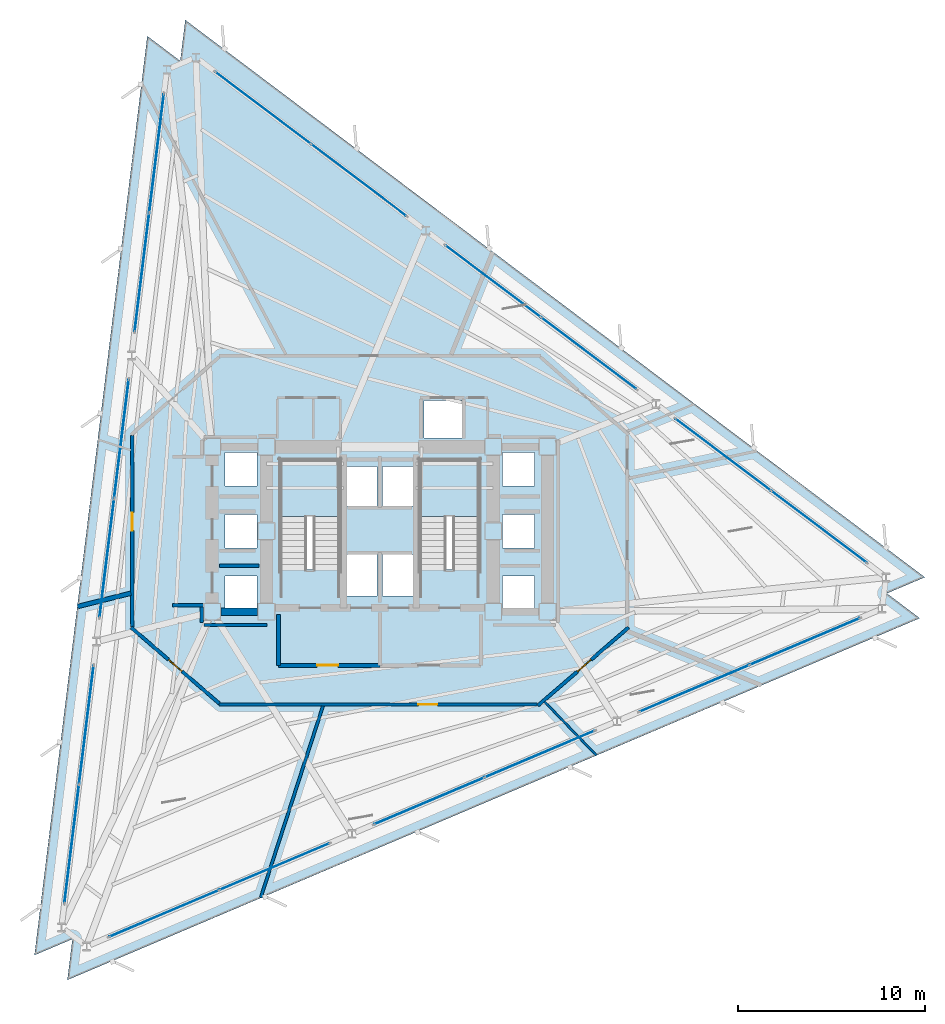
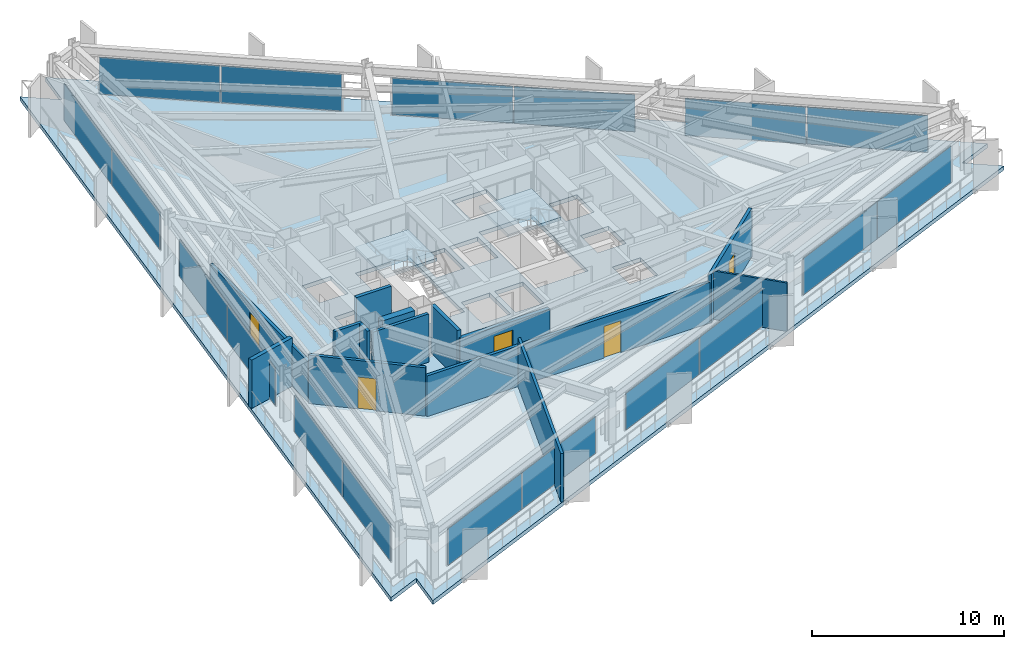
# One storey, part 6 of 13: 18 plates, 14 walls, 5 doors, 3 slabs, 5 openings, 11 elements without a shape of their own.
"""IFC4 building model written with IfcOpenShell, lengths in metres."""

from ifc_helpers import new_model, si_unit, direction, frame, frame_2d, origin, origin_2d, place, context, subcontext, project, spatial, polyline, rectangle, outline, extrude, material, layer, layer_set, type_object, element, fill, aggregate, save


model = new_model("IFC4")

# Units and contexts
model_context = context("Model", 3, precision=1e-05, world=origin(), true_north=direction((0.0, 1.0)))
body_context = subcontext(model_context, "Body", "Model", "MODEL_VIEW")
ifc_project = project(units=[si_unit("LENGTHUNIT", "METRE"), si_unit("AREAUNIT", "SQUARE_METRE"), si_unit("VOLUMEUNIT", "CUBIC_METRE"), si_unit("PLANEANGLEUNIT", "RADIAN"), si_unit("MASSUNIT", "GRAM", prefix="KILO")], contexts=[model_context])

# Site, building, storey
site_placement = place(None, origin())
site = spatial("IfcSite", under=ifc_project, at=site_placement, CompositionType="ELEMENT")
building_placement = place(site_placement, origin())
building = spatial("IfcBuilding", under=site, at=building_placement, Name="Rocaltana Carrier Exchange", CompositionType="ELEMENT")
storey_placement = place(building_placement, frame((0.0, 0.0, 56.320068359375)))
storey = spatial("IfcBuildingStorey", under=building, at=storey_placement, Name="L17", CompositionType="ELEMENT", Elevation=56.320068359375)

# Curtain wall, plates
ifc_material_1 = material(Name="Aluminium 6063-T6", Category="aluminium")
ifc_layer_1 = layer(ifc_material_1, 0.1650390625)
ifc_layer_set_1 = layer_set([ifc_layer_1], Name="Aluminium 6063-T6")
curtain_wall_type = type_object("IfcCurtainWallType", Name="Lower-Mid Stepped Curtain Wall CW-02", PredefinedType="NOTDEFINED", material=ifc_layer_set_1)
curtain_wall_1_placement = place(storey_placement, origin())
curtain_wall_1 = element("IfcCurtainWall", 1, at=curtain_wall_1_placement, inside=storey, type_object=curtain_wall_type, Name="L17 CW-02 Run CW-L17-F1S1", PredefinedType="NOTDEFINED")
ifc_material_2 = material(Name="Tempered Laminated Glass", Category="glass")
ifc_layer_2 = layer(ifc_material_2, 0.0419921875)
ifc_layer_set_2 = layer_set([ifc_layer_2], Name="Tempered Laminated Glass")
plate_type = type_object("IfcPlateType", Name="CW-02 Stone-Insulated Vision Panel", PredefinedType="CURTAIN_PANEL", material=ifc_layer_set_2)
plate_1_placement = place(storey_placement, frame((23.422607421875, 0.231201171875, 0.06494140625), z_axis=(0.0, 0.0, 1.0), x_axis=(-0.798641886792, 0.601806560833, 0.0)))
plate_1 = element("IfcPlate", 2, at=plate_1_placement, type_object=plate_type, Name="CW-02 panel 1.1", PredefinedType="CURTAIN_PANEL", context=body_context, shape_type="SweptSolid", body=[
    extrude(rectangle(XDim=6.335693359375, YDim=0.0419921875, at=origin_2d()), origin(), (0.0, 0.0, 1.0), 2.347900390625),
])
plate_2_placement = place(storey_placement, frame((18.310791015625, 4.083251953125, 0.06494140625), z_axis=(0.0, 0.0, 1.0), x_axis=(-0.798641886792, 0.601806560833, 0.0)))
plate_2 = element("IfcPlate", 3, at=plate_2_placement, type_object=plate_type, Name="CW-02 panel 2.1", PredefinedType="CURTAIN_PANEL", context=body_context, shape_type="SweptSolid", body=[
    extrude(rectangle(XDim=6.335693359375, YDim=0.0419921875, at=origin_2d()), origin(), (0.0, 0.0, 1.0), 2.347900390625),
])
aggregate(curtain_wall_1, [plate_1, plate_2])

curtain_wall_2_placement = place(storey_placement, origin())
curtain_wall_2 = element("IfcCurtainWall", 4, at=curtain_wall_2_placement, inside=storey, type_object=curtain_wall_type, Name="L17 CW-02 Run CW-L17-F1S2", PredefinedType="NOTDEFINED")
plate_3_placement = place(storey_placement, frame((11.150390625, 9.47900390625, 0.06494140625), z_axis=(0.0, 0.0, 1.0), x_axis=(-0.798635336443, 0.601815253533, 0.0)))
plate_3 = element("IfcPlate", 5, at=plate_3_placement, type_object=plate_type, Name="CW-02 panel 1.1", PredefinedType="CURTAIN_PANEL", context=body_context, shape_type="SweptSolid", body=[
    extrude(rectangle(XDim=6.335693359375, YDim=0.0419921875, at=origin_2d()), origin(), (0.0, 0.0, 1.0), 2.347900390625),
])
plate_4_placement = place(storey_placement, frame((6.038330078125, 13.3310546875, 0.06494140625), z_axis=(0.0, 0.0, 1.0), x_axis=(-0.798635336443, 0.601815253533, 0.0)))
plate_4 = element("IfcPlate", 6, at=plate_4_placement, type_object=plate_type, Name="CW-02 panel 2.1", PredefinedType="CURTAIN_PANEL", context=body_context, shape_type="SweptSolid", body=[
    extrude(rectangle(XDim=6.335693359375, YDim=0.0419921875, at=origin_2d()), origin(), (0.0, 0.0, 1.0), 2.347900390625),
])
aggregate(curtain_wall_2, [plate_3, plate_4])

curtain_wall_3_placement = place(storey_placement, origin())
curtain_wall_3 = element("IfcCurtainWall", 7, at=curtain_wall_3_placement, inside=storey, type_object=curtain_wall_type, Name="L17 CW-02 Run CW-L17-F1S3", PredefinedType="NOTDEFINED")
plate_5_placement = place(storey_placement, frame((-1.1220703125, 18.726806640625, 0.06494140625), z_axis=(0.0, 0.0, 1.0), x_axis=(-0.79863815132, 0.601811518049, 0.0)))
plate_5 = element("IfcPlate", 8, at=plate_5_placement, type_object=plate_type, Name="CW-02 panel 1.1", PredefinedType="CURTAIN_PANEL", context=body_context, shape_type="SweptSolid", body=[
    extrude(rectangle(XDim=6.3359375, YDim=0.0419921875, at=origin_2d()), origin(), (0.0, 0.0, 1.0), 2.347900390625),
])
plate_6_placement = place(storey_placement, frame((-6.23388671875, 22.5791015625, 0.06494140625), z_axis=(0.0, 0.0, 1.0), x_axis=(-0.79863815132, 0.601811518049, 0.0)))
plate_6 = element("IfcPlate", 9, at=plate_6_placement, type_object=plate_type, Name="CW-02 panel 2.1", PredefinedType="CURTAIN_PANEL", context=body_context, shape_type="SweptSolid", body=[
    extrude(rectangle(XDim=6.3359375, YDim=0.0419921875, at=origin_2d()), origin(), (0.0, 0.0, 1.0), 2.347900390625),
])
aggregate(curtain_wall_3, [plate_5, plate_6])

curtain_wall_4_placement = place(storey_placement, origin())
curtain_wall_4 = element("IfcCurtainWall", 10, at=curtain_wall_4_placement, inside=storey, type_object=curtain_wall_type, Name="L17 CW-02 Run CW-L17-F2S1", PredefinedType="NOTDEFINED")
plate_7_placement = place(storey_placement, frame((-11.91162109375, 20.169189453125, 0.06494140625), z_axis=(0.0, 0.0, 1.0), x_axis=(-0.121872630343, -0.992545748051, 0.0)))
plate_7 = element("IfcPlate", 11, at=plate_7_placement, type_object=plate_type, Name="CW-02 panel 1.1", PredefinedType="CURTAIN_PANEL", context=body_context, shape_type="SweptSolid", body=[
    extrude(rectangle(XDim=6.3359375, YDim=0.0419921875, at=origin_2d()), origin(), (0.0, 0.0, 1.0), 2.347900390625),
])
plate_8_placement = place(storey_placement, frame((-12.691650390625, 13.81591796875, 0.06494140625), z_axis=(0.0, 0.0, 1.0), x_axis=(-0.121872630343, -0.992545748051, 0.0)))
plate_8 = element("IfcPlate", 12, at=plate_8_placement, type_object=plate_type, Name="CW-02 panel 2.1", PredefinedType="CURTAIN_PANEL", context=body_context, shape_type="SweptSolid", body=[
    extrude(rectangle(XDim=6.3359375, YDim=0.0419921875, at=origin_2d()), origin(), (0.0, 0.0, 1.0), 2.347900390625),
])
aggregate(curtain_wall_4, [plate_7, plate_8])

curtain_wall_5_placement = place(storey_placement, origin())
curtain_wall_5 = element("IfcCurtainWall", 13, at=curtain_wall_5_placement, inside=storey, type_object=curtain_wall_type, Name="L17 CW-02 Run CW-L17-F2S2", PredefinedType="NOTDEFINED")
plate_9_placement = place(storey_placement, frame((-13.7841796875, 4.9169921875, 0.06494140625), z_axis=(0.0, 0.0, 1.0), x_axis=(-0.121873570472, -0.992545632614, 0.0)))
plate_9 = element("IfcPlate", 14, at=plate_9_placement, type_object=plate_type, Name="CW-02 panel 1.1", PredefinedType="CURTAIN_PANEL", context=body_context, shape_type="SweptSolid", body=[
    extrude(rectangle(XDim=6.335693359375, YDim=0.0419921875, at=origin_2d()), origin(), (0.0, 0.0, 1.0), 2.347900390625),
])
plate_10_placement = place(storey_placement, frame((-14.564208984375, -1.436279296875, 0.06494140625), z_axis=(0.0, 0.0, 1.0), x_axis=(-0.121873570472, -0.992545632614, 0.0)))
plate_10 = element("IfcPlate", 15, at=plate_10_placement, type_object=plate_type, Name="CW-02 panel 2.1", PredefinedType="CURTAIN_PANEL", context=body_context, shape_type="SweptSolid", body=[
    extrude(rectangle(XDim=6.335693359375, YDim=0.0419921875, at=origin_2d()), origin(), (0.0, 0.0, 1.0), 2.347900390625),
])
aggregate(curtain_wall_5, [plate_9, plate_10])

curtain_wall_6_placement = place(storey_placement, origin())
curtain_wall_6 = element("IfcCurtainWall", 16, at=curtain_wall_6_placement, inside=storey, type_object=curtain_wall_type, Name="L17 CW-02 Run CW-L17-F2S3", PredefinedType="NOTDEFINED")
plate_11_placement = place(storey_placement, frame((-15.656982421875, -10.335205078125, 0.06494140625), z_axis=(0.0, 0.0, 1.0), x_axis=(-0.121881227076, -0.992544692438, 0.0)))
plate_11 = element("IfcPlate", 17, at=plate_11_placement, type_object=plate_type, Name="CW-02 panel 1.1", PredefinedType="CURTAIN_PANEL", context=body_context, shape_type="SweptSolid", body=[
    extrude(rectangle(XDim=6.335693359375, YDim=0.0419921875, at=origin_2d()), origin(), (0.0, 0.0, 1.0), 2.347900390625),
])
plate_12_placement = place(storey_placement, frame((-16.43701171875, -16.688232421875, 0.06494140625), z_axis=(0.0, 0.0, 1.0), x_axis=(-0.121881227076, -0.992544692438, 0.0)))
plate_12 = element("IfcPlate", 18, at=plate_12_placement, type_object=plate_type, Name="CW-02 panel 2.1", PredefinedType="CURTAIN_PANEL", context=body_context, shape_type="SweptSolid", body=[
    extrude(rectangle(XDim=6.335693359375, YDim=0.0419921875, at=origin_2d()), origin(), (0.0, 0.0, 1.0), 2.347900390625),
])
aggregate(curtain_wall_6, [plate_11, plate_12])

curtain_wall_7_placement = place(storey_placement, origin())
curtain_wall_7 = element("IfcCurtainWall", 19, at=curtain_wall_7_placement, inside=storey, type_object=curtain_wall_type, Name="L17 CW-02 Run CW-L17-F3S1", PredefinedType="NOTDEFINED")
plate_13_placement = place(storey_placement, frame((-11.51123046875, -20.400146484375, 0.06494140625), z_axis=(0.0, 0.0, 1.0), x_axis=(0.920505895435, 0.390728673724, 0.0)))
plate_13 = element("IfcPlate", 20, at=plate_13_placement, type_object=plate_type, Name="CW-02 panel 1.1", PredefinedType="CURTAIN_PANEL", context=body_context, shape_type="SweptSolid", body=[
    extrude(rectangle(XDim=6.3359375, YDim=0.0419921875, at=origin_2d()), origin(), (0.0, 0.0, 1.0), 2.347900390625),
])
plate_14_placement = place(storey_placement, frame((-5.619140625, -17.899169921875, 0.06494140625), z_axis=(0.0, 0.0, 1.0), x_axis=(0.920505895435, 0.390728673724, 0.0)))
plate_14 = element("IfcPlate", 21, at=plate_14_placement, type_object=plate_type, Name="CW-02 panel 2.1", PredefinedType="CURTAIN_PANEL", context=body_context, shape_type="SweptSolid", body=[
    extrude(rectangle(XDim=6.3359375, YDim=0.0419921875, at=origin_2d()), origin(), (0.0, 0.0, 1.0), 2.347900390625),
])
aggregate(curtain_wall_7, [plate_13, plate_14])

curtain_wall_8_placement = place(storey_placement, origin())
curtain_wall_8 = element("IfcCurtainWall", 22, at=curtain_wall_8_placement, inside=storey, type_object=curtain_wall_type, Name="L17 CW-02 Run CW-L17-F3S2", PredefinedType="NOTDEFINED")
plate_15_placement = place(storey_placement, frame((2.634033203125, -14.39599609375, 0.06494140625), z_axis=(0.0, 0.0, 1.0), x_axis=(0.920505895435, 0.390728673724, 0.0)))
plate_15 = element("IfcPlate", 23, at=plate_15_placement, type_object=plate_type, Name="CW-02 panel 1.1", PredefinedType="CURTAIN_PANEL", context=body_context, shape_type="SweptSolid", body=[
    extrude(rectangle(XDim=6.3359375, YDim=0.0419921875, at=origin_2d()), origin(), (0.0, 0.0, 1.0), 2.347900390625),
])
plate_16_placement = place(storey_placement, frame((8.52587890625, -11.89501953125, 0.06494140625), z_axis=(0.0, 0.0, 1.0), x_axis=(0.920505895435, 0.390728673724, 0.0)))
plate_16 = element("IfcPlate", 24, at=plate_16_placement, type_object=plate_type, Name="CW-02 panel 2.1", PredefinedType="CURTAIN_PANEL", context=body_context, shape_type="SweptSolid", body=[
    extrude(rectangle(XDim=6.3359375, YDim=0.0419921875, at=origin_2d()), origin(), (0.0, 0.0, 1.0), 2.347900390625),
])
aggregate(curtain_wall_8, [plate_15, plate_16])

curtain_wall_9_placement = place(storey_placement, origin())
curtain_wall_9 = element("IfcCurtainWall", 25, at=curtain_wall_9_placement, inside=storey, type_object=curtain_wall_type, Name="L17 CW-02 Run CW-L17-F3S3", PredefinedType="NOTDEFINED")
plate_17_placement = place(storey_placement, frame((16.779052734375, -8.391845703125, 0.06494140625), z_axis=(0.0, 0.0, 1.0), x_axis=(0.920503100084, 0.390735259141, 0.0)))
plate_17 = element("IfcPlate", 26, at=plate_17_placement, type_object=plate_type, Name="CW-02 panel 1.1", PredefinedType="CURTAIN_PANEL", context=body_context, shape_type="SweptSolid", body=[
    extrude(rectangle(XDim=6.3359375, YDim=0.0419921875, at=origin_2d()), origin(), (0.0, 0.0, 1.0), 2.347900390625),
])
plate_18_placement = place(storey_placement, frame((22.671142578125, -5.890625, 0.06494140625), z_axis=(0.0, 0.0, 1.0), x_axis=(0.920503100084, 0.390735259141, 0.0)))
plate_18 = element("IfcPlate", 27, at=plate_18_placement, type_object=plate_type, Name="CW-02 panel 2.1", PredefinedType="CURTAIN_PANEL", context=body_context, shape_type="SweptSolid", body=[
    extrude(rectangle(XDim=6.3359375, YDim=0.0419921875, at=origin_2d()), origin(), (0.0, 0.0, 1.0), 2.347900390625),
])
aggregate(curtain_wall_9, [plate_17, plate_18])

# Slab
ifc_material_3 = material(Name="Concrete C60/75", Category="concrete")
ifc_layer_3 = layer(ifc_material_3, 0.260009765625)
ifc_layer_set_3 = layer_set([ifc_layer_3], Name="Concrete C60/75")
slab_type_1 = type_object("IfcSlabType", Name="Low-Zone Tower Slab 260", PredefinedType="FLOOR", material=ifc_layer_set_3)
slab_1_placement = place(storey_placement, frame((0.0, 0.0, -0.260009765625)))
element("IfcSlab", 28, at=slab_1_placement, inside=storey, type_object=slab_type_1, Name="L17 Structural Floor Slab", PredefinedType="FLOOR", context=body_context, shape_type="SweptSolid", body=[
    extrude(outline(polyline([(28.8046875, -4.64501953125), (27.0478515625, -3.321044921875), (29.072998046875, -2.46142578125), (-10.379638671875, 27.268310546875), (-10.647705078125, 25.084716796875), (-12.40478515625, 26.40869140625), (-18.425048828125, -22.623291015625), (-16.39990234375, -21.763671875), (-16.668212890625, -23.947265625), (28.8046875, -4.64501953125)]), holes=[polyline([(-5.300048828125, -2.06005859375), (-2.139892578125, -2.06005859375), (-2.139892578125, 3.800048828125), (-5.300048828125, 3.800048828125), (-5.300048828125, -2.06005859375)]), polyline([(2.139892578125, -2.06005859375), (5.300048828125, -2.06005859375), (5.300048828125, 3.800048828125), (2.139892578125, 3.800048828125), (2.139892578125, -2.06005859375)]), polyline([(-1.85009765625, -3.449951171875), (-0.14990234375, -3.449951171875), (-0.14990234375, -1.25), (-1.85009765625, -1.25), (-1.85009765625, -3.449951171875)]), polyline([(0.14990234375, -3.449951171875), (1.85009765625, -3.449951171875), (1.85009765625, -1.25), (0.14990234375, -1.25), (0.14990234375, -3.449951171875)]), polyline([(2.35009765625, 4.97998046875), (4.39990234375, 4.97998046875), (4.39990234375, 6.97998046875), (2.35009765625, 6.97998046875), (2.35009765625, 4.97998046875)]), polyline([(-1.85009765625, 1.35009765625), (-0.14990234375, 1.35009765625), (-0.14990234375, 3.449951171875), (-1.85009765625, 3.449951171875), (-1.85009765625, 1.35009765625)]), polyline([(0.14990234375, 1.35009765625), (1.85009765625, 1.35009765625), (1.85009765625, 3.449951171875), (0.14990234375, 3.449951171875), (0.14990234375, 1.35009765625)]), polyline([(-8.25, -4.199951171875), (-6.550048828125, -4.199951171875), (-6.550048828125, -2.39990234375), (-8.25, -2.39990234375), (-8.25, -4.199951171875)]), polyline([(-8.25, -0.89990234375), (-6.550048828125, -0.89990234375), (-6.550048828125, 0.89990234375), (-8.25, 0.89990234375), (-8.25, -0.89990234375)]), polyline([(-8.25, 2.39990234375), (-6.550048828125, 2.39990234375), (-6.550048828125, 4.199951171875), (-8.25, 4.199951171875), (-8.25, 2.39990234375)]), polyline([(6.550048828125, -4.199951171875), (8.25, -4.199951171875), (8.25, -2.39990234375), (6.550048828125, -2.39990234375), (6.550048828125, -4.199951171875)]), polyline([(6.550048828125, -0.89990234375), (8.25, -0.89990234375), (8.25, 0.89990234375), (6.550048828125, 0.89990234375), (6.550048828125, -0.89990234375)]), polyline([(6.550048828125, 2.39990234375), (8.25, 2.39990234375), (8.25, 4.199951171875), (6.550048828125, 4.199951171875), (6.550048828125, 2.39990234375)])]), origin(), (0.0, 0.0, 1.0), 0.260009765625),
])

# Stair, slab
ifc_material_4 = material(Name="Precast concrete C45/55", Category="concrete")
stair_type = type_object("IfcStairType", Name="Standard Dog-Leg Stair 160", PredefinedType="HALF_TURN_STAIR", material=ifc_material_4)
stair_1_placement = place(storey_placement, origin())
stair_1 = element("IfcStair", 29, at=stair_1_placement, inside=storey, type_object=stair_type, Name="L17 Core West Exit Stair ST-1", PredefinedType="HALF_TURN_STAIR")
ifc_material_5 = material(Name="Precast concrete C45/55", Category="concrete")
ifc_layer_4 = layer(ifc_material_5, 0.199951171875)
ifc_layer_set_4 = layer_set([ifc_layer_4], Name="Precast concrete C45/55")
slab_type_2 = type_object("IfcSlabType", Name="Precast Stair Half-Landing 200", PredefinedType="LANDING", material=ifc_layer_set_4)
slab_2_placement = place(storey_placement, frame((0.0, 0.0, 1.47998046875)))
slab_2 = element("IfcSlab", 30, at=slab_2_placement, type_object=slab_type_2, Name="ST-1 landing 1", PredefinedType="LANDING", context=body_context, shape_type="SweptSolid", body=[
    extrude(outline(polyline([(-2.139892578125, 0.780029296875), (-2.139892578125, 3.800048828125), (-5.300048828125, 3.800048828125), (-5.300048828125, 0.780029296875), (-2.139892578125, 0.780029296875)])), origin(), (0.0, 0.0, 1.0), 0.199951171875),
])
aggregate(stair_1, [slab_2])

stair_2_placement = place(storey_placement, origin())
stair_2 = element("IfcStair", 31, at=stair_2_placement, inside=storey, type_object=stair_type, Name="L17 Core East Exit Stair ST-2", PredefinedType="HALF_TURN_STAIR")
slab_3_placement = place(storey_placement, frame((0.0, 0.0, 1.47998046875)))
slab_3 = element("IfcSlab", 32, at=slab_3_placement, type_object=slab_type_2, Name="ST-2 landing 1", PredefinedType="LANDING", context=body_context, shape_type="SweptSolid", body=[
    extrude(outline(polyline([(5.300048828125, 0.780029296875), (5.300048828125, 3.800048828125), (2.139892578125, 3.800048828125), (2.139892578125, 0.780029296875), (5.300048828125, 0.780029296875)])), origin(), (0.0, 0.0, 1.0), 0.199951171875),
])
aggregate(stair_2, [slab_3])

# Walls
ifc_material_6 = material(Name="Double Acoustic Gypsum Partition", Category="gypsum")
ifc_layer_5 = layer(ifc_material_6, 0.159912109375)
ifc_layer_set_5 = layer_set([ifc_layer_5], Name="Double Acoustic Gypsum Partition")
wall_type_1 = type_object("IfcWallType", Name="Acoustic Studio Partition 160 EI60", PredefinedType="PARTITIONING", material=ifc_layer_set_5)
wall_1_placement = place(storey_placement, frame((-3.031494140625, -9.330078125, 0.0), z_axis=(0.0, 0.0, 1.0), x_axis=(-0.309020370084, -0.951055419454, 0.0)))
element("IfcWall", 33, at=wall_1_placement, inside=storey, type_object=wall_type_1, Name="L17 Suite Divider Wall D2", PredefinedType="PARTITIONING", context=body_context, shape_type="SweptSolid", body=[
    extrude(rectangle(XDim=10.7548828125, YDim=0.159912109375, at=frame_2d((5.37744140625, 0.0))), origin(), (0.0, 0.0, 1.0), 3.072998046875),
])
ifc_material_7 = material(Name="Concrete C50/60", Category="concrete")
ifc_layer_6 = layer(ifc_material_7, 0.39990234375)
ifc_layer_set_6 = layer_set([ifc_layer_6], Name="Concrete C50/60")
wall_type_2 = type_object("IfcWallType", Name="Core Internal Shear Wall 400", PredefinedType="SHEAR", material=ifc_layer_set_6)
wall_2_placement = place(storey_placement, frame((-8.47509765625, -4.300048828125, 0.0), z_axis=(0.0, 0.0, 1.0), x_axis=(1.0, 0.0, 0.0)))
element("IfcWall", 34, at=wall_2_placement, inside=storey, type_object=wall_type_2, Name="L17 Core Shear Wall CW-WWS", PredefinedType="SHEAR", context=body_context, shape_type="SweptSolid", body=[
    extrude(rectangle(XDim=1.9501953125, YDim=0.39990234375, at=frame_2d((0.97509765625, 0.0))), origin(), (0.0, 0.0, 1.0), 3.097900390625),
])

# Wall, opening, door
ifc_material_8 = material(Name="Gypsum & Steel Stud Partition", Category="steel")
ifc_layer_7 = layer(ifc_material_8, 0.179931640625)
ifc_layer_set_7 = layer_set([ifc_layer_7], Name="Gypsum & Steel Stud Partition")
wall_type_3 = type_object("IfcWallType", Name="Corridor Fire Partition 180 EI60", PredefinedType="PARTITIONING", material=ifc_layer_set_7)
wall_3_placement = place(storey_placement, frame((13.268310546875, -5.14111328125, 0.0), z_axis=(0.0, 0.0, 1.0), x_axis=(-0.757534501725, -0.65279512766, 0.0)))
wall_3 = element("IfcWall", 35, at=wall_3_placement, inside=storey, type_object=wall_type_3, Name="L17 Corridor Partition 4", PredefinedType="PARTITIONING", context=body_context, shape_type="SweptSolid", body=[
    extrude(rectangle(XDim=6.384521484375, YDim=0.179931640625, at=frame_2d((3.1923828125, 0.0))), origin(), (0.0, 0.0, 1.0), 3.072998046875),
])
opening_1_placement = place(wall_3_placement, frame((2.639404296875, 0.0, 0.0)))
opening_1 = element("IfcOpeningElement", 36, at=opening_1_placement, cuts=wall_3, Name="Opening D-RM098", PredefinedType="OPENING", context=body_context, shape_type="SweptSolid", body=[
    extrude(rectangle(XDim=0.9599609375, YDim=2.02001953125, at=frame_2d((0.47998046875, 1.010009765625))), frame((0.0, 0.099853515625, 0.0), z_axis=(0.0, -1.0, 0.0), x_axis=(1.0, 0.0, 0.0)), (0.0, 0.0, 1.0), 0.199951171875),
])
ifc_material_9 = material(Name="Engineered Hardwood Timber", Category="wood")
door_type_1 = type_object("IfcDoorType", Name="Workspace Single Door 960x2020", OperationType="NOTDEFINED", PredefinedType="DOOR", material=ifc_material_9)
door_1_placement = place(opening_1_placement, origin())
door_1 = element("IfcDoor", 37, at=door_1_placement, inside=storey, type_object=door_type_1, Name="L17 Network Engineering Studio Entrance Door", OperationType="SINGLE_SWING_LEFT", OverallHeight=2.02001953125, OverallWidth=0.9599609375, PredefinedType="DOOR", context=body_context, shape_type="SweptSolid", body=[
    extrude(rectangle(XDim=0.9599609375, YDim=2.02001953125, at=frame_2d((0.47998046875, 1.010009765625))), frame((0.0, 0.02490234375, 0.0), z_axis=(0.0, -1.0, 0.0), x_axis=(1.0, 0.0, 0.0)), (0.0, 0.0, 1.0), 0.050048828125),
])
fill(opening_1, door_1)

wall_4_placement = place(storey_placement, frame((8.409912109375, -9.25, 0.0), z_axis=(0.0, 0.0, 1.0), x_axis=(-1.0, 0.0, 0.0)))
wall_4 = element("IfcWall", 38, at=wall_4_placement, inside=storey, type_object=wall_type_3, Name="L17 Corridor Partition 5", PredefinedType="PARTITIONING", context=body_context, shape_type="SweptSolid", body=[
    extrude(rectangle(XDim=17.0, YDim=0.179931640625, at=frame_2d((8.5, 0.0))), origin(), (0.0, 0.0, 1.0), 2.5869140625),
])
opening_2_placement = place(wall_4_placement, frame((5.339599609375, 0.0, 0.0)))
opening_2 = element("IfcOpeningElement", 39, at=opening_2_placement, cuts=wall_4, Name="Opening D-LB104", PredefinedType="OPENING", context=body_context, shape_type="SweptSolid", body=[
    extrude(rectangle(XDim=1.02001953125, YDim=2.02001953125, at=frame_2d((0.510009765625, 1.010009765625))), frame((0.0, 0.099853515625, 0.0), z_axis=(0.0, -1.0, 0.0), x_axis=(1.0, 0.0, 0.0)), (0.0, 0.0, 1.0), 0.199951171875),
])
ifc_material_10 = material(Name="Powder-Coated Aluminium 6063-T6", Category="aluminium")
door_type_2 = type_object("IfcDoorType", Name="Laboratory Acoustic Door 1020x2020", OperationType="NOTDEFINED", PredefinedType="DOOR", material=ifc_material_10)
door_2_placement = place(opening_2_placement, origin())
door_2 = element("IfcDoor", 40, at=door_2_placement, inside=storey, type_object=door_type_2, Name="L17 Photonic Integration Workshop Entrance Door", OperationType="SINGLE_SWING_RIGHT", OverallHeight=2.02001953125, OverallWidth=1.02001953125, PredefinedType="DOOR", context=body_context, shape_type="SweptSolid", body=[
    extrude(rectangle(XDim=1.02001953125, YDim=2.02001953125, at=frame_2d((0.510009765625, 1.010009765625))), frame((0.0, 0.02490234375, 0.0), z_axis=(0.0, -1.0, 0.0), x_axis=(1.0, 0.0, 0.0)), (0.0, 0.0, 1.0), 0.050048828125),
])
fill(opening_2, door_2)

wall_5_placement = place(storey_placement, frame((-8.568115234375, -9.191162109375, 0.0), z_axis=(0.0, 0.0, 1.0), x_axis=(-0.757556899173, 0.652769135694, 0.0)))
wall_5 = element("IfcWall", 41, at=wall_5_placement, inside=storey, type_object=wall_type_3, Name="L17 Corridor Partition 6", PredefinedType="PARTITIONING", context=body_context, shape_type="SweptSolid", body=[
    extrude(rectangle(XDim=6.204345703125, YDim=0.179931640625, at=frame_2d((3.10205078125, 0.0))), origin(), (0.0, 0.0, 1.0), 3.072998046875),
])
opening_3_placement = place(wall_5_placement, frame((2.6220703125, 0.0, 0.0)))
opening_3 = element("IfcOpeningElement", 42, at=opening_3_placement, cuts=wall_5, Name="Opening D-RM098", PredefinedType="OPENING", context=body_context, shape_type="SweptSolid", body=[
    extrude(rectangle(XDim=0.9599609375, YDim=2.02001953125, at=frame_2d((0.47998046875, 1.010009765625))), frame((0.0, 0.099853515625, 0.0), z_axis=(0.0, -1.0, 0.0), x_axis=(1.0, 0.0, 0.0)), (0.0, 0.0, 1.0), 0.199951171875),
])
door_3_placement = place(opening_3_placement, origin())
door_3 = element("IfcDoor", 43, at=door_3_placement, inside=storey, type_object=door_type_1, Name="L17 Network Engineering Studio Entrance Door", OperationType="SINGLE_SWING_LEFT", OverallHeight=2.02001953125, OverallWidth=0.9599609375, PredefinedType="DOOR", context=body_context, shape_type="SweptSolid", body=[
    extrude(rectangle(XDim=0.9599609375, YDim=2.02001953125, at=frame_2d((0.47998046875, 1.010009765625))), frame((0.0, 0.02490234375, 0.0), z_axis=(0.0, -1.0, 0.0), x_axis=(1.0, 0.0, 0.0)), (0.0, 0.0, 1.0), 0.050048828125),
])
fill(opening_3, door_3)

wall_6_placement = place(storey_placement, frame((-13.199951171875, -5.110107421875, 0.0), z_axis=(0.0, 0.0, 1.0), x_axis=(0.0, 1.0, 0.0)))
wall_6 = element("IfcWall", 44, at=wall_6_placement, inside=storey, type_object=wall_type_3, Name="L17 Corridor Partition 7", PredefinedType="PARTITIONING", context=body_context, shape_type="SweptSolid", body=[
    extrude(rectangle(XDim=10.22021484375, YDim=0.179931640625, at=frame_2d((5.110107421875, 0.0))), origin(), (0.0, 0.0, 1.0), 2.5869140625),
])
opening_4_placement = place(wall_6_placement, frame((5.131591796875, 0.0, 0.0)))
opening_4 = element("IfcOpeningElement", 45, at=opening_4_placement, cuts=wall_6, Name="Opening D-RM098", PredefinedType="OPENING", context=body_context, shape_type="SweptSolid", body=[
    extrude(rectangle(XDim=0.9599609375, YDim=2.02001953125, at=frame_2d((0.47998046875, 1.010009765625))), frame((0.0, 0.099853515625, 0.0), z_axis=(0.0, -1.0, 0.0), x_axis=(1.0, 0.0, 0.0)), (0.0, 0.0, 1.0), 0.199951171875),
])
door_4_placement = place(opening_4_placement, origin())
door_4 = element("IfcDoor", 46, at=door_4_placement, inside=storey, type_object=door_type_1, Name="L17 Cloud Architecture Office Entrance Door", OperationType="SINGLE_SWING_LEFT", OverallHeight=2.02001953125, OverallWidth=0.9599609375, PredefinedType="DOOR", context=body_context, shape_type="SweptSolid", body=[
    extrude(rectangle(XDim=0.9599609375, YDim=2.02001953125, at=frame_2d((0.47998046875, 1.010009765625))), frame((0.0, 0.02490234375, 0.0), z_axis=(0.0, -1.0, 0.0), x_axis=(1.0, 0.0, 0.0)), (0.0, 0.0, 1.0), 0.050048828125),
])
fill(opening_4, door_4)

# Walls
wall_7_placement = place(storey_placement, frame((-11.070068359375, -3.9599609375, 0.0), z_axis=(0.0, 0.0, 1.0), x_axis=(1.0, 0.0, 0.0)))
element("IfcWall", 47, at=wall_7_placement, inside=storey, type_object=wall_type_3, Name="L17 Corridor Partition 11", PredefinedType="PARTITIONING", context=body_context, shape_type="SweptSolid", body=[
    extrude(rectangle(XDim=1.650146484375, YDim=0.179931640625, at=frame_2d((0.8251953125, 0.0))), origin(), (0.0, 0.0, 1.0), 3.072998046875),
])
wall_8_placement = place(storey_placement, frame((-9.510009765625, -4.050048828125, 0.0), z_axis=(0.0, 0.0, 1.0), x_axis=(0.0, -1.0, 0.0)))
element("IfcWall", 48, at=wall_8_placement, inside=storey, type_object=wall_type_3, Name="L17 Corridor Partition 12", PredefinedType="PARTITIONING", context=body_context, shape_type="SweptSolid", body=[
    extrude(rectangle(XDim=0.820068359375, YDim=0.179931640625, at=frame_2d((0.41015625, 0.0))), origin(), (0.0, 0.0, 1.0), 3.072998046875),
])
wall_9_placement = place(storey_placement, frame((-9.3701171875, -5.010009765625, 0.0), z_axis=(0.0, 0.0, 1.0), x_axis=(1.0, 0.0, 0.0)))
element("IfcWall", 49, at=wall_9_placement, inside=storey, type_object=wall_type_3, Name="L17 Corridor Partition 13", PredefinedType="PARTITIONING", context=body_context, shape_type="SweptSolid", body=[
    extrude(rectangle(XDim=3.340087890625, YDim=0.179931640625, at=frame_2d((1.669921875, 0.0))), origin(), (0.0, 0.0, 1.0), 3.072998046875),
])
ifc_material_11 = material(Name="Aluminium 6063-T6 & Acoustic Glass", Category="aluminium")
ifc_layer_8 = layer(ifc_material_11, 0.114990234375)
ifc_layer_set_8 = layer_set([ifc_layer_8], Name="Aluminium 6063-T6 & Acoustic Glass")
wall_type_4 = type_object("IfcWallType", Name="Demountable Glazed Lab Partition 115", PredefinedType="MOVABLE", material=ifc_layer_set_8)
wall_10_placement = place(storey_placement, frame((8.791748046875, -9.104248046875, 0.0), z_axis=(0.0, 0.0, 1.0), x_axis=(0.694664773763, -0.719333616685, 0.0)))
element("IfcWall", 50, at=wall_10_placement, inside=storey, type_object=wall_type_4, Name="L17 Suite Divider Wall D3", PredefinedType="MOVABLE", context=body_context, shape_type="SweptSolid", body=[
    extrude(rectangle(XDim=3.968505859375, YDim=0.114990234375, at=frame_2d((1.984375, 0.0))), origin(), (0.0, 0.0, 1.0), 3.072998046875),
])
ifc_material_12 = material(Name="Autoclaved Aerated Concrete C30/37", Category="concrete")
ifc_layer_9 = layer(ifc_material_12, 0.219970703125)
ifc_layer_set_9 = layer_set([ifc_layer_9], Name="Autoclaved Aerated Concrete C30/37")
wall_type_5 = type_object("IfcWallType", Name="Firefighting Lobby Wall 220 EI120", PredefinedType="PARTITIONING", material=ifc_layer_set_9)
wall_11_placement = place(storey_placement, frame((-5.39990234375, -7.159912109375, 0.0), z_axis=(0.0, 0.0, 1.0), x_axis=(0.0, 1.0, 0.0)))
element("IfcWall", 51, at=wall_11_placement, inside=storey, type_object=wall_type_5, Name="L17 FFL Lobby 1 West Wall", PredefinedType="PARTITIONING", context=body_context, shape_type="SweptSolid", body=[
    extrude(rectangle(XDim=2.7099609375, YDim=0.219970703125, at=frame_2d((1.35498046875, 0.0))), origin(), (0.0, 0.0, 1.0), 3.072998046875),
])

# Wall, opening, door
wall_12_placement = place(storey_placement, frame((-5.39990234375, -7.159912109375, 0.0), z_axis=(0.0, 0.0, 1.0), x_axis=(1.0, 0.0, 0.0)))
wall_12 = element("IfcWall", 52, at=wall_12_placement, inside=storey, type_object=wall_type_5, Name="L17 FFL Lobby 1 South Wall", PredefinedType="PARTITIONING", context=body_context, shape_type="SweptSolid", body=[
    extrude(rectangle(XDim=5.39990234375, YDim=0.219970703125, at=frame_2d((2.699951171875, 0.0))), origin(), (0.0, 0.0, 1.0), 2.5869140625),
])
opening_5_placement = place(wall_12_placement, frame((2.050048828125, 0.0, 0.0)))
opening_5 = element("IfcOpeningElement", 53, at=opening_5_placement, cuts=wall_12, Name="Opening D-FF115", PredefinedType="OPENING", context=body_context, shape_type="SweptSolid", body=[
    extrude(rectangle(XDim=1.1201171875, YDim=2.02001953125, at=frame_2d((0.56005859375, 1.010009765625))), frame((0.0, 0.119873046875, 0.0), z_axis=(0.0, -1.0, 0.0), x_axis=(1.0, 0.0, 0.0)), (0.0, 0.0, 1.0), 0.239990234375),
])
ifc_material_13 = material(Name="Hollow Metal Fire Door Assembly", Category="steel")
door_type_3 = type_object("IfcDoorType", Name="Firefighting Lobby Door 1120x2020 FD60S", OperationType="NOTDEFINED", PredefinedType="DOOR", material=ifc_material_13)
door_5_placement = place(opening_5_placement, origin())
door_5 = element("IfcDoor", 54, at=door_5_placement, inside=storey, type_object=door_type_3, Name="L17 Firefighting Lift Lobby 1 Door", OperationType="SINGLE_SWING_RIGHT", OverallHeight=2.02001953125, OverallWidth=1.1201171875, PredefinedType="DOOR", context=body_context, shape_type="SweptSolid", body=[
    extrude(rectangle(XDim=1.1201171875, YDim=2.02001953125, at=frame_2d((0.56005859375, 1.010009765625))), frame((0.0, 0.02490234375, 0.0), z_axis=(0.0, -1.0, 0.0), x_axis=(1.0, 0.0, 0.0)), (0.0, 0.0, 1.0), 0.050048828125),
])
fill(opening_5, door_5)

# Walls
ifc_material_14 = material(Name="Acoustic Calcium Silicate Partition", Category="gypsum")
ifc_layer_10 = layer(ifc_material_14, 0.239990234375)
ifc_layer_set_10 = layer_set([ifc_layer_10], Name="Acoustic Calcium Silicate Partition")
wall_type_6 = type_object("IfcWallType", Name="Heavy Lab Partition 240 EI90", PredefinedType="PARTITIONING", material=ifc_layer_set_10)
wall_13_placement = place(storey_placement, frame((-13.280029296875, -3.31103515625, 0.0), z_axis=(0.0, 0.0, 1.0), x_axis=(-0.970288946824, -0.241949084873, 0.0)))
element("IfcWall", 55, at=wall_13_placement, inside=storey, type_object=wall_type_6, Name="L17 Suite Divider Wall D1", PredefinedType="PARTITIONING", context=body_context, shape_type="SweptSolid", body=[
    extrude(rectangle(XDim=2.9384765625, YDim=0.239990234375, at=frame_2d((1.46923828125, 0.0))), origin(), (0.0, 0.0, 1.0), 3.072998046875),
])
ifc_material_15 = material(Name="Reinforced Concrete Block C35/45", Category="concrete")
ifc_layer_11 = layer(ifc_material_15, 0.199951171875)
ifc_layer_set_11 = layer_set([ifc_layer_11], Name="Reinforced Concrete Block C35/45")
wall_type_7 = type_object("IfcWallType", Name="Lift Hoistway Enclosure Wall 200 EI120", PredefinedType="PARTITIONING", material=ifc_layer_set_11)
wall_14_placement = place(storey_placement, frame((-8.550048828125, -1.85009765625, 0.0), z_axis=(0.0, 0.0, 1.0), x_axis=(1.0, 0.0, 0.0)))
element("IfcWall", 56, at=wall_14_placement, inside=storey, type_object=wall_type_7, Name="L17 Low-Rise Shaft Divider 1", PredefinedType="PARTITIONING", context=body_context, shape_type="SweptSolid", body=[
    extrude(rectangle(XDim=2.10009765625, YDim=0.199951171875, at=frame_2d((1.050048828125, 0.0))), origin(), (0.0, 0.0, 1.0), 3.072998046875),
])

save(model, "model.ifc")
